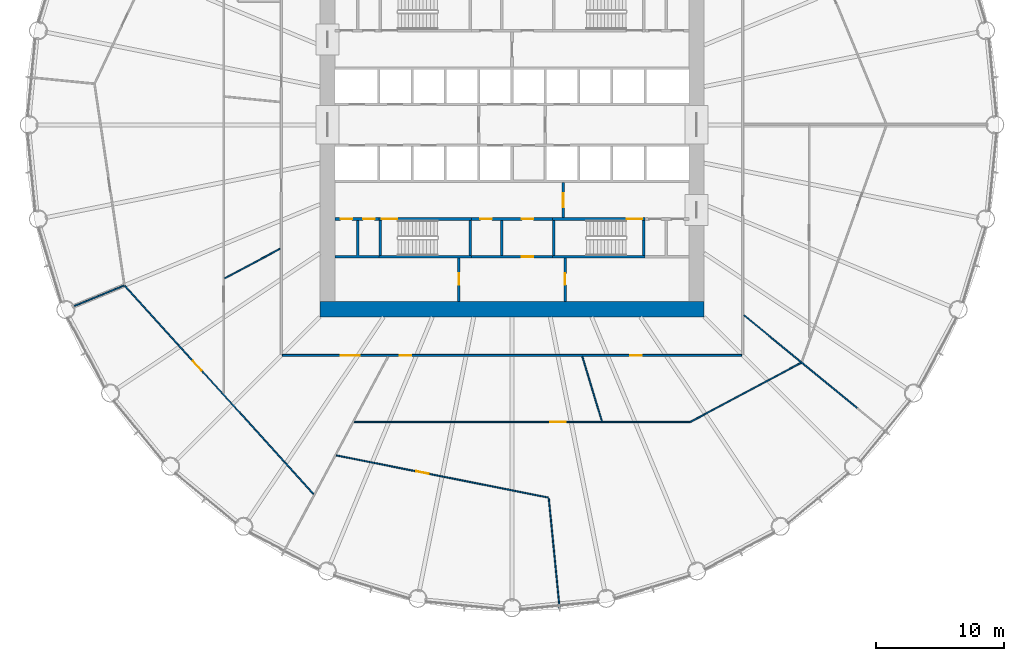
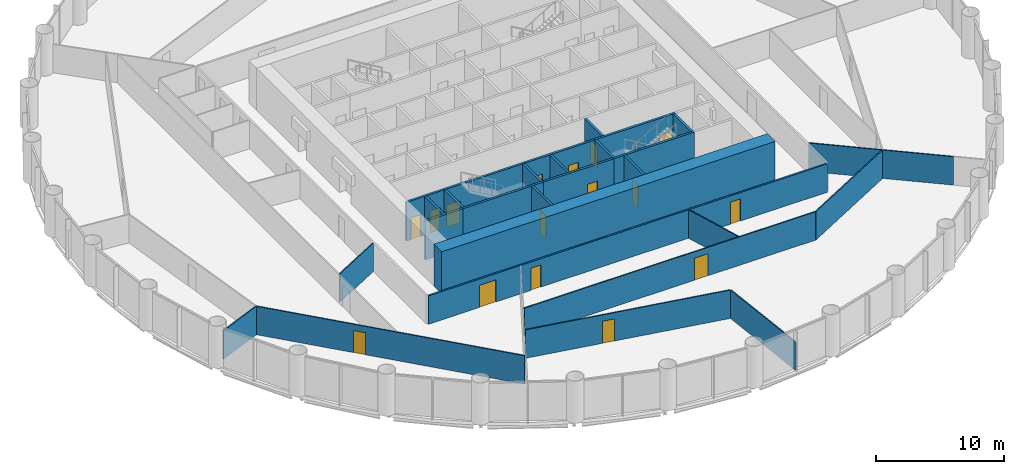
# One storey, part 10 of 15: 27 walls, 16 doors, 16 openings.
"""IFC4 building model written with IfcOpenShell, lengths in metres."""

from ifc_helpers import new_model, si_unit, direction, frame, frame_2d, origin, place, context, subcontext, project, spatial, polyline, rectangle, outline, extrude, material, layer, layer_set, type_object, element, fill, save


model = new_model("IFC4")

# Units and contexts
model_context = context("Model", 3, precision=1e-05, world=origin(), true_north=direction((0.0, 1.0)))
body_context = subcontext(model_context, "Body", "Model", "MODEL_VIEW")
ifc_project = project(units=[si_unit("LENGTHUNIT", "METRE"), si_unit("AREAUNIT", "SQUARE_METRE"), si_unit("VOLUMEUNIT", "CUBIC_METRE"), si_unit("PLANEANGLEUNIT", "RADIAN"), si_unit("MASSUNIT", "GRAM", prefix="KILO")], contexts=[model_context])

# Site, building, storey
site_placement = place(None, origin())
site = spatial("IfcSite", under=ifc_project, at=site_placement, CompositionType="ELEMENT")
building_placement = place(site_placement, origin())
building = spatial("IfcBuilding", under=site, at=building_placement, Name="Corvane Civic Tower", CompositionType="ELEMENT")
storey_placement = place(building_placement, frame((0.0, 0.0, 61.0)))
storey = spatial("IfcBuildingStorey", under=building, at=storey_placement, Name="L13", CompositionType="ELEMENT", Elevation=61.0)

# Wall
ifc_material_1 = material(Name="Concrete C80/95", Category="concrete")
ifc_layer_1 = layer(ifc_material_1, 1.199951171875)
ifc_layer_set_1 = layer_set([ifc_layer_1], Name="Concrete C80/95")
wall_type_1 = type_object("IfcWallType", Name="CORE WALL 1200 C80/95", PredefinedType="SHEAR", material=ifc_layer_set_1)
wall_1_placement = place(storey_placement, frame((-15.0, -14.39990234375, 0.0), z_axis=(0.0, 0.0, 1.0), x_axis=(1.0, 0.0, 0.0)))
element("IfcWall", 1, at=wall_1_placement, inside=storey, type_object=wall_type_1, Name="W-L13-core-S", PredefinedType="SHEAR", context=body_context, shape_type="SweptSolid", body=[
    extrude(rectangle(XDim=30.0, YDim=1.199951171875, at=frame_2d((15.0, 0.0))), origin(), (0.0, 0.0, 1.0), 4.0),
])

# Wall, opening, door
ifc_material_2 = material(Name="Concrete C30/37", Category="concrete")
ifc_layer_2 = layer(ifc_material_2, 0.199951171875)
ifc_layer_set_2 = layer_set([ifc_layer_2], Name="Concrete C30/37")
wall_type_2 = type_object("IfcWallType", Name="CR-WALL-200", PredefinedType="PARTITIONING", material=ifc_layer_set_2)
wall_2_placement = place(storey_placement, frame((-3.14990234375, -10.300048828125, 0.0), z_axis=(0.0, 0.0, 1.0), x_axis=(1.0, 0.0, 0.0)))
wall_2 = element("IfcWall", 2, at=wall_2_placement, inside=storey, type_object=wall_type_2, Name="L13 partition wall", PredefinedType="PARTITIONING", context=body_context, shape_type="SweptSolid", body=[
    extrude(rectangle(XDim=6.2998046875, YDim=0.199951171875, at=frame_2d((3.14990234375, 0.0))), origin(), (0.0, 0.0, 1.0), 3.699951171875),
])
opening_1_placement = place(wall_2_placement, frame((3.925048828125, 0.0, 0.0)))
opening_1 = element("IfcOpeningElement", 3, at=opening_1_placement, cuts=wall_2, Name="Opening L13.C10", PredefinedType="OPENING", context=body_context, shape_type="SweptSolid", body=[
    extrude(rectangle(XDim=0.89990234375, YDim=2.10009765625, at=frame_2d((0.449951171875, 1.050048828125))), frame((0.0, 0.10986328125, 0.0), z_axis=(0.0, -1.0, 0.0), x_axis=(1.0, 0.0, 0.0)), (0.0, 0.0, 1.0), 0.219970703125),
])
ifc_material_3 = material(Name="Steel fire door leaf", Category="steel")
door_type_1 = type_object("IfcDoorType", Name="CR-DOOR-900", OperationType="SINGLE_SWING_LEFT", PredefinedType="DOOR", material=ifc_material_3)
door_1_placement = place(opening_1_placement, origin())
door_1 = element("IfcDoor", 4, at=door_1_placement, inside=storey, type_object=door_type_1, Name="L13 door", OperationType="SINGLE_SWING_LEFT", OverallHeight=2.10009765625, OverallWidth=0.89990234375, PredefinedType="DOOR", context=body_context, shape_type="SweptSolid", body=[
    extrude(rectangle(XDim=0.89990234375, YDim=2.10009765625, at=frame_2d((0.449951171875, 1.050048828125))), frame((0.0, 0.02490234375, 0.0), z_axis=(0.0, -1.0, 0.0), x_axis=(1.0, 0.0, 0.0)), (0.0, 0.0, 1.0), 0.050048828125),
])
fill(opening_1, door_1)

# Wall, openings, doors
wall_3_placement = place(storey_placement, frame((-13.800048828125, -7.35009765625, 0.0), z_axis=(0.0, 0.0, 1.0), x_axis=(1.0, 0.0, 0.0)))
wall_3 = element("IfcWall", 5, at=wall_3_placement, inside=storey, type_object=wall_type_2, Name="L13 core partition wall", PredefinedType="PARTITIONING", context=body_context, shape_type="SweptSolid", body=[
    extrude(rectangle(XDim=3.400146484375, YDim=0.199951171875, at=frame_2d((1.7001953125, 0.0))), origin(), (0.0, 0.0, 1.0), 3.699951171875),
])
opening_2_placement = place(wall_3_placement, frame((0.425048828125, 0.0, 0.0)))
opening_2 = element("IfcOpeningElement", 6, at=opening_2_placement, cuts=wall_3, Name="Opening L13.C14", PredefinedType="OPENING", context=body_context, shape_type="SweptSolid", body=[
    extrude(rectangle(XDim=0.89990234375, YDim=2.10009765625, at=frame_2d((0.449951171875, 1.050048828125))), frame((0.0, 0.10986328125, 0.0), z_axis=(0.0, -1.0, 0.0), x_axis=(1.0, 0.0, 0.0)), (0.0, 0.0, 1.0), 0.219970703125),
])
opening_3_placement = place(wall_3_placement, frame((2.175048828125, 0.0, 0.0)))
opening_3 = element("IfcOpeningElement", 7, at=opening_3_placement, cuts=wall_3, Name="Opening L13.C15", PredefinedType="OPENING", context=body_context, shape_type="SweptSolid", body=[
    extrude(rectangle(XDim=0.89990234375, YDim=2.10009765625, at=frame_2d((0.449951171875, 1.050048828125))), frame((0.0, 0.10986328125, 0.0), z_axis=(0.0, -1.0, 0.0), x_axis=(1.0, 0.0, 0.0)), (0.0, 0.0, 1.0), 0.219970703125),
])
door_2_placement = place(opening_2_placement, origin())
door_2 = element("IfcDoor", 8, at=door_2_placement, inside=storey, type_object=door_type_1, Name="L13 door", OperationType="SINGLE_SWING_LEFT", OverallHeight=2.10009765625, OverallWidth=0.89990234375, PredefinedType="DOOR", context=body_context, shape_type="SweptSolid", body=[
    extrude(rectangle(XDim=0.89990234375, YDim=2.10009765625, at=frame_2d((0.449951171875, 1.050048828125))), frame((0.0, 0.02490234375, 0.0), z_axis=(0.0, -1.0, 0.0), x_axis=(1.0, 0.0, 0.0)), (0.0, 0.0, 1.0), 0.050048828125),
])
fill(opening_2, door_2)
door_3_placement = place(opening_3_placement, origin())
door_3 = element("IfcDoor", 9, at=door_3_placement, inside=storey, type_object=door_type_1, Name="L13 door", OperationType="SINGLE_SWING_LEFT", OverallHeight=2.10009765625, OverallWidth=0.89990234375, PredefinedType="DOOR", context=body_context, shape_type="SweptSolid", body=[
    extrude(rectangle(XDim=0.89990234375, YDim=2.10009765625, at=frame_2d((0.449951171875, 1.050048828125))), frame((0.0, 0.02490234375, 0.0), z_axis=(0.0, -1.0, 0.0), x_axis=(1.0, 0.0, 0.0)), (0.0, 0.0, 1.0), 0.050048828125),
])
fill(opening_3, door_3)

wall_4_placement = place(storey_placement, frame((-3.14990234375, -7.35009765625, 0.0), z_axis=(0.0, 0.0, 1.0), x_axis=(1.0, 0.0, 0.0)))
wall_4 = element("IfcWall", 10, at=wall_4_placement, inside=storey, type_object=wall_type_2, Name="L13 core partition wall", PredefinedType="PARTITIONING", context=body_context, shape_type="SweptSolid", body=[
    extrude(rectangle(XDim=6.2998046875, YDim=0.199951171875, at=frame_2d((3.14990234375, 0.0))), origin(), (0.0, 0.0, 1.0), 3.699951171875),
])
opening_4_placement = place(wall_4_placement, frame((0.675048828125, 0.0, 0.0)))
opening_4 = element("IfcOpeningElement", 11, at=opening_4_placement, cuts=wall_4, Name="Opening L13.C04", PredefinedType="OPENING", context=body_context, shape_type="SweptSolid", body=[
    extrude(rectangle(XDim=0.89990234375, YDim=2.10009765625, at=frame_2d((0.449951171875, 1.050048828125))), frame((0.0, 0.10986328125, 0.0), z_axis=(0.0, -1.0, 0.0), x_axis=(1.0, 0.0, 0.0)), (0.0, 0.0, 1.0), 0.219970703125),
])
opening_5_placement = place(wall_4_placement, frame((3.925048828125, 0.0, 0.0)))
opening_5 = element("IfcOpeningElement", 12, at=opening_5_placement, cuts=wall_4, Name="Opening L13.C05", PredefinedType="OPENING", context=body_context, shape_type="SweptSolid", body=[
    extrude(rectangle(XDim=0.89990234375, YDim=2.10009765625, at=frame_2d((0.449951171875, 1.050048828125))), frame((0.0, 0.10986328125, 0.0), z_axis=(0.0, -1.0, 0.0), x_axis=(1.0, 0.0, 0.0)), (0.0, 0.0, 1.0), 0.219970703125),
])
door_4_placement = place(opening_4_placement, origin())
door_4 = element("IfcDoor", 13, at=door_4_placement, inside=storey, type_object=door_type_1, Name="L13 door", OperationType="SINGLE_SWING_LEFT", OverallHeight=2.10009765625, OverallWidth=0.89990234375, PredefinedType="DOOR", context=body_context, shape_type="SweptSolid", body=[
    extrude(rectangle(XDim=0.89990234375, YDim=2.10009765625, at=frame_2d((0.449951171875, 1.050048828125))), frame((0.0, 0.02490234375, 0.0), z_axis=(0.0, -1.0, 0.0), x_axis=(1.0, 0.0, 0.0)), (0.0, 0.0, 1.0), 0.050048828125),
])
fill(opening_4, door_4)
door_5_placement = place(opening_5_placement, origin())
door_5 = element("IfcDoor", 14, at=door_5_placement, inside=storey, type_object=door_type_1, Name="L13 door", OperationType="SINGLE_SWING_LEFT", OverallHeight=2.10009765625, OverallWidth=0.89990234375, PredefinedType="DOOR", context=body_context, shape_type="SweptSolid", body=[
    extrude(rectangle(XDim=0.89990234375, YDim=2.10009765625, at=frame_2d((0.449951171875, 1.050048828125))), frame((0.0, 0.02490234375, 0.0), z_axis=(0.0, -1.0, 0.0), x_axis=(1.0, 0.0, 0.0)), (0.0, 0.0, 1.0), 0.050048828125),
])
fill(opening_5, door_5)

# Wall, opening, door
wall_5_placement = place(storey_placement, frame((-4.14990234375, -13.800048828125, 0.0), z_axis=(0.0, 0.0, 1.0), x_axis=(0.0, 1.0, 0.0)))
wall_5 = element("IfcWall", 15, at=wall_5_placement, inside=storey, type_object=wall_type_2, Name="L13 partition wall", PredefinedType="PARTITIONING", context=body_context, shape_type="SweptSolid", body=[
    extrude(rectangle(XDim=3.400146484375, YDim=0.199951171875, at=frame_2d((1.7001953125, 0.0))), origin(), (0.0, 0.0, 1.0), 3.699951171875),
])
opening_6_placement = place(wall_5_placement, frame((1.300048828125, 0.0, 0.0)))
opening_6 = element("IfcOpeningElement", 16, at=opening_6_placement, cuts=wall_5, Name="Opening L13.C09", PredefinedType="OPENING", context=body_context, shape_type="SweptSolid", body=[
    extrude(rectangle(XDim=0.89990234375, YDim=2.10009765625, at=frame_2d((0.449951171875, 1.050048828125))), frame((0.0, 0.10986328125, 0.0), z_axis=(0.0, -1.0, 0.0), x_axis=(1.0, 0.0, 0.0)), (0.0, 0.0, 1.0), 0.219970703125),
])
door_6_placement = place(opening_6_placement, origin())
door_6 = element("IfcDoor", 17, at=door_6_placement, inside=storey, type_object=door_type_1, Name="L13 door", OperationType="SINGLE_SWING_LEFT", OverallHeight=2.10009765625, OverallWidth=0.89990234375, PredefinedType="DOOR", context=body_context, shape_type="SweptSolid", body=[
    extrude(rectangle(XDim=0.89990234375, YDim=2.10009765625, at=frame_2d((0.449951171875, 1.050048828125))), frame((0.0, 0.02490234375, 0.0), z_axis=(0.0, -1.0, 0.0), x_axis=(1.0, 0.0, 0.0)), (0.0, 0.0, 1.0), 0.050048828125),
])
fill(opening_6, door_6)

wall_6_placement = place(storey_placement, frame((4.0, -7.25, 0.0), z_axis=(0.0, 0.0, 1.0), x_axis=(0.0, 1.0, 0.0)))
wall_6 = element("IfcWall", 18, at=wall_6_placement, inside=storey, type_object=wall_type_2, Name="L13 core partition wall", PredefinedType="PARTITIONING", context=body_context, shape_type="SweptSolid", body=[
    extrude(rectangle(XDim=2.75, YDim=0.199951171875, at=frame_2d((1.375, 0.0))), origin(), (0.0, 0.0, 1.0), 3.699951171875),
])
opening_7_placement = place(wall_6_placement, frame((0.824951171875, 0.0, 0.0)))
opening_7 = element("IfcOpeningElement", 19, at=opening_7_placement, cuts=wall_6, Name="Opening L13.C27", PredefinedType="OPENING", context=body_context, shape_type="SweptSolid", body=[
    extrude(rectangle(XDim=1.10009765625, YDim=2.10009765625, at=frame_2d((0.550048828125, 1.050048828125))), frame((0.0, 0.10986328125, 0.0), z_axis=(0.0, -1.0, 0.0), x_axis=(1.0, 0.0, 0.0)), (0.0, 0.0, 1.0), 0.219970703125),
])
ifc_material_4 = material(Name="Steel fire door leaf", Category="steel")
door_type_2 = type_object("IfcDoorType", Name="CR-DOOR-FFL-1100", OperationType="SINGLE_SWING_LEFT", PredefinedType="DOOR", material=ifc_material_4)
door_7_placement = place(opening_7_placement, origin())
door_7 = element("IfcDoor", 20, at=door_7_placement, inside=storey, type_object=door_type_2, Name="L13 lobby door", OperationType="SINGLE_SWING_LEFT", OverallHeight=2.10009765625, OverallWidth=1.10009765625, PredefinedType="DOOR", context=body_context, shape_type="SweptSolid", body=[
    extrude(rectangle(XDim=1.10009765625, YDim=2.10009765625, at=frame_2d((0.550048828125, 1.050048828125))), frame((0.0, 0.02490234375, 0.0), z_axis=(0.0, -1.0, 0.0), x_axis=(1.0, 0.0, 0.0)), (0.0, 0.0, 1.0), 0.050048828125),
])
fill(opening_7, door_7)

wall_7_placement = place(storey_placement, frame((4.14990234375, -13.800048828125, 0.0), z_axis=(0.0, 0.0, 1.0), x_axis=(0.0, 1.0, 0.0)))
wall_7 = element("IfcWall", 21, at=wall_7_placement, inside=storey, type_object=wall_type_2, Name="L13 partition wall", PredefinedType="PARTITIONING", context=body_context, shape_type="SweptSolid", body=[
    extrude(rectangle(XDim=3.400146484375, YDim=0.199951171875, at=frame_2d((1.7001953125, 0.0))), origin(), (0.0, 0.0, 1.0), 3.699951171875),
])
opening_8_placement = place(wall_7_placement, frame((1.300048828125, 0.0, 0.0)))
opening_8 = element("IfcOpeningElement", 22, at=opening_8_placement, cuts=wall_7, Name="Opening L13.C11", PredefinedType="OPENING", context=body_context, shape_type="SweptSolid", body=[
    extrude(rectangle(XDim=0.89990234375, YDim=2.10009765625, at=frame_2d((0.449951171875, 1.050048828125))), frame((0.0, 0.10986328125, 0.0), z_axis=(0.0, -1.0, 0.0), x_axis=(1.0, 0.0, 0.0)), (0.0, 0.0, 1.0), 0.219970703125),
])
door_8_placement = place(opening_8_placement, origin())
door_8 = element("IfcDoor", 23, at=door_8_placement, inside=storey, type_object=door_type_1, Name="L13 door", OperationType="SINGLE_SWING_LEFT", OverallHeight=2.10009765625, OverallWidth=0.89990234375, PredefinedType="DOOR", context=body_context, shape_type="SweptSolid", body=[
    extrude(rectangle(XDim=0.89990234375, YDim=2.10009765625, at=frame_2d((0.449951171875, 1.050048828125))), frame((0.0, 0.02490234375, 0.0), z_axis=(0.0, -1.0, 0.0), x_axis=(1.0, 0.0, 0.0)), (0.0, 0.0, 1.0), 0.050048828125),
])
fill(opening_8, door_8)

# Walls
wall_8_placement = place(storey_placement, origin())
element("IfcWall", 24, at=wall_8_placement, inside=storey, type_object=wall_type_2, Name="L13 core partition wall", PredefinedType="PARTITIONING", context=body_context, shape_type="SweptSolid", body=[
    extrude(outline(polyline([(-12.14990234375, -7.449951171875), (-11.949951171875, -7.449951171875), (-11.949951171875, -10.199951171875), (-10.39990234375, -10.199951171875), (-10.39990234375, -10.39990234375), (-13.800048828125, -10.39990234375), (-13.800048828125, -10.199951171875), (-12.14990234375, -10.199951171875), (-12.14990234375, -7.449951171875)])), origin(), (0.0, 0.0, 1.0), 3.699951171875),
])
wall_9_placement = place(storey_placement, origin())
element("IfcWall", 25, at=wall_9_placement, inside=storey, type_object=wall_type_2, Name="L13 core partition wall", PredefinedType="PARTITIONING", context=body_context, shape_type="SweptSolid", body=[
    extrude(outline(polyline([(-0.699951171875, -10.199951171875), (-0.89990234375, -10.199951171875), (-0.89990234375, -7.449951171875), (-0.699951171875, -7.449951171875), (-0.699951171875, -10.199951171875)])), origin(), (0.0, 0.0, 1.0), 3.699951171875),
])
ifc_material_5 = material(Name="Plasterboard")
ifc_layer_3 = layer(ifc_material_5, 0.10009765625)
ifc_layer_set_3 = layer_set([ifc_layer_3], Name="Plasterboard")
wall_type_3 = type_object("IfcWallType", Name="Partition 100 plasterboard on studs", PredefinedType="PARTITIONING", material=ifc_layer_set_3)
wall_10_placement = place(storey_placement, frame((2.86962890625, -29.1357421875, 0.0), z_axis=(0.0, 0.0, 1.0), x_axis=(0.098012580456, -0.99518517577, 0.0)))
element("IfcWall", 26, at=wall_10_placement, inside=storey, type_object=wall_type_3, Name="Partition L13.001", PredefinedType="PARTITIONING", context=body_context, shape_type="SweptSolid", body=[
    extrude(rectangle(XDim=8.67333984375, YDim=0.10009765625, at=frame_2d((4.336669921875, 0.0))), origin(), (0.0, 0.0, 1.0), 2.699951171875),
])

# Wall, opening, door
wall_11_placement = place(storey_placement, frame((-13.71728515625, -25.80029296875, 0.0), z_axis=(0.0, 0.0, 1.0), x_axis=(0.980786622224, -0.195083576107, 0.0)))
wall_11 = element("IfcWall", 27, at=wall_11_placement, inside=storey, type_object=wall_type_3, Name="Partition L13.003", PredefinedType="PARTITIONING", context=body_context, shape_type="SweptSolid", body=[
    extrude(rectangle(XDim=16.87109375, YDim=0.10009765625, at=frame_2d((8.435546875, 0.0))), origin(), (0.0, 0.0, 1.0), 2.699951171875),
])
opening_9_placement = place(wall_11_placement, frame((6.35205078125, 0.0, 0.0)))
opening_9 = element("IfcOpeningElement", 28, at=opening_9_placement, cuts=wall_11, Name="Opening L13.002", PredefinedType="OPENING", context=body_context, shape_type="SweptSolid", body=[
    extrude(rectangle(XDim=1.0, YDim=2.10009765625, at=frame_2d((0.5, 1.050048828125))), frame((0.0, 0.06005859375, 0.0), z_axis=(0.0, -1.0, 0.0), x_axis=(1.0, 0.0, 0.0)), (0.0, 0.0, 1.0), 0.1201171875),
])
ifc_material_6 = material(Name="Timber", Category="wood")
door_type_3 = type_object("IfcDoorType", Name="Single door 1000", OperationType="NOTDEFINED", PredefinedType="DOOR", material=ifc_material_6)
door_9_placement = place(opening_9_placement, frame((1.0, 0.0, 0.0), z_axis=(0.0, 0.0, 1.0), x_axis=(-1.0, 0.0, 0.0)))
door_9 = element("IfcDoor", 29, at=door_9_placement, inside=storey, type_object=door_type_3, Name="Door L13.002", OperationType="SINGLE_SWING_RIGHT", OverallHeight=2.10009765625, OverallWidth=1.0, PredefinedType="DOOR", context=body_context, shape_type="SweptSolid", body=[
    extrude(rectangle(XDim=1.0, YDim=2.10009765625, at=frame_2d((0.5, 1.050048828125))), frame((0.0, 0.02490234375, 0.0), z_axis=(0.0, -1.0, 0.0), x_axis=(1.0, 0.0, 0.0)), (0.0, 0.0, 1.0), 0.050048828125),
])
fill(opening_9, door_9)

wall_12_placement = place(storey_placement, frame((-30.227783203125, -12.556640625, 0.0), z_axis=(0.0, 0.0, 1.0), x_axis=(0.67156235145, -0.740948046839, 0.0)))
wall_12 = element("IfcWall", 30, at=wall_12_placement, inside=storey, type_object=wall_type_3, Name="Partition L13.004", PredefinedType="PARTITIONING", context=body_context, shape_type="SweptSolid", body=[
    extrude(rectangle(XDim=21.9560546875, YDim=0.10009765625, at=frame_2d((10.97802734375, 0.0))), origin(), (0.0, 0.0, 1.0), 2.699951171875),
])
opening_10_placement = place(wall_12_placement, frame((7.940185546875, 0.0, 0.0)))
opening_10 = element("IfcOpeningElement", 31, at=opening_10_placement, cuts=wall_12, Name="Opening L13.008", PredefinedType="OPENING", context=body_context, shape_type="SweptSolid", body=[
    extrude(rectangle(XDim=1.0, YDim=2.10009765625, at=frame_2d((0.5, 1.050048828125))), frame((0.0, 0.06005859375, 0.0), z_axis=(0.0, -1.0, 0.0), x_axis=(1.0, 0.0, 0.0)), (0.0, 0.0, 1.0), 0.1201171875),
])
door_10_placement = place(opening_10_placement, frame((1.0, 0.0, 0.0), z_axis=(0.0, 0.0, 1.0), x_axis=(-1.0, 0.0, 0.0)))
door_10 = element("IfcDoor", 32, at=door_10_placement, inside=storey, type_object=door_type_3, Name="Door L13.008", OperationType="SINGLE_SWING_RIGHT", OverallHeight=2.10009765625, OverallWidth=1.0, PredefinedType="DOOR", context=body_context, shape_type="SweptSolid", body=[
    extrude(rectangle(XDim=1.0, YDim=2.10009765625, at=frame_2d((0.5, 1.050048828125))), frame((0.0, 0.02490234375, 0.0), z_axis=(0.0, -1.0, 0.0), x_axis=(1.0, 0.0, 0.0)), (0.0, 0.0, 1.0), 0.050048828125),
])
fill(opening_10, door_10)

wall_13_placement = place(storey_placement, frame((-12.317138671875, -23.199951171875, 0.0), z_axis=(0.0, 0.0, 1.0), x_axis=(1.0, 0.0, 0.0)))
wall_13 = element("IfcWall", 33, at=wall_13_placement, inside=storey, type_object=wall_type_3, Name="Partition L13.006", PredefinedType="PARTITIONING", context=body_context, shape_type="SweptSolid", body=[
    extrude(rectangle(XDim=26.20654296875, YDim=0.10009765625, at=frame_2d((13.103271484375, 0.0))), origin(), (0.0, 0.0, 1.0), 2.699951171875),
])
opening_11_placement = place(wall_13_placement, frame((15.31494140625, 0.0, 0.0)))
opening_11 = element("IfcOpeningElement", 34, at=opening_11_placement, cuts=wall_13, Name="Opening L13.004", PredefinedType="OPENING", context=body_context, shape_type="SweptSolid", body=[
    extrude(rectangle(XDim=1.199951171875, YDim=2.10009765625, at=frame_2d((0.60009765625, 1.050048828125))), frame((0.0, 0.06005859375, 0.0), z_axis=(0.0, -1.0, 0.0), x_axis=(1.0, 0.0, 0.0)), (0.0, 0.0, 1.0), 0.1201171875),
])
ifc_material_7 = material(Name="Timber", Category="wood")
door_type_4 = type_object("IfcDoorType", Name="Double door 1200", OperationType="NOTDEFINED", PredefinedType="DOOR", material=ifc_material_7)
door_11_placement = place(opening_11_placement, frame((1.199951171875, 0.0, 0.0), z_axis=(0.0, 0.0, 1.0), x_axis=(-1.0, 0.0, 0.0)))
door_11 = element("IfcDoor", 35, at=door_11_placement, inside=storey, type_object=door_type_4, Name="Door L13.004", OperationType="DOUBLE_DOOR_SINGLE_SWING", OverallHeight=2.10009765625, OverallWidth=1.199951171875, PredefinedType="DOOR", context=body_context, shape_type="SweptSolid", body=[
    extrude(rectangle(XDim=1.199951171875, YDim=2.10009765625, at=frame_2d((0.60009765625, 1.050048828125))), frame((0.0, 0.02490234375, 0.0), z_axis=(0.0, -1.0, 0.0), x_axis=(1.0, 0.0, 0.0)), (0.0, 0.0, 1.0), 0.050048828125),
])
fill(opening_11, door_11)

# Walls
wall_14_placement = place(storey_placement, frame((13.9130859375, -23.194091796875, 0.0), z_axis=(0.0, 0.0, 1.0), x_axis=(0.88192128868, 0.471396691305, 0.0)))
element("IfcWall", 36, at=wall_14_placement, inside=storey, type_object=wall_type_3, Name="Partition L13.007", PredefinedType="PARTITIONING", context=body_context, shape_type="SweptSolid", body=[
    extrude(rectangle(XDim=9.778076171875, YDim=0.10009765625, at=frame_2d((4.88916015625, 0.0))), origin(), (0.0, 0.0, 1.0), 2.699951171875),
])
wall_15_placement = place(storey_placement, frame((5.4873046875, -18.089599609375, 0.0), z_axis=(0.0, 0.0, 1.0), x_axis=(0.290302940199, -0.956934795538, 0.0)))
element("IfcWall", 37, at=wall_15_placement, inside=storey, type_object=wall_type_3, Name="Partition L13.008", PredefinedType="PARTITIONING", context=body_context, shape_type="SweptSolid", body=[
    extrude(rectangle(XDim=5.27294921875, YDim=0.10009765625, at=frame_2d((2.636474609375, 0.0))), origin(), (0.0, 0.0, 1.0), 2.699951171875),
])
wall_16_placement = place(storey_placement, frame((18.106689453125, -14.85986328125, 0.0), z_axis=(0.0, 0.0, 1.0), x_axis=(0.773018264294, -0.634383766397, 0.0)))
element("IfcWall", 38, at=wall_16_placement, inside=storey, type_object=wall_type_3, Name="Partition L13.009", PredefinedType="PARTITIONING", context=body_context, shape_type="SweptSolid", body=[
    extrude(rectangle(XDim=11.42041015625, YDim=0.10009765625, at=frame_2d((5.710205078125, 0.0))), origin(), (0.0, 0.0, 1.0), 2.699951171875),
])
wall_17_placement = place(storey_placement, frame((-34.17431640625, -14.155517578125, 0.0), z_axis=(0.0, 0.0, 1.0), x_axis=(0.923864757577, 0.382719100265, 0.0)))
element("IfcWall", 39, at=wall_17_placement, inside=storey, type_object=wall_type_3, Name="Partition L13.016", PredefinedType="PARTITIONING", context=body_context, shape_type="SweptSolid", body=[
    extrude(rectangle(XDim=4.20703125, YDim=0.10009765625, at=frame_2d((2.103515625, 0.0))), origin(), (0.0, 0.0, 1.0), 2.699951171875),
])
wall_18_placement = place(storey_placement, frame((-22.426513671875, -11.9873046875, 0.0), z_axis=(0.0, 0.0, 1.0), x_axis=(0.881906349881, 0.47142463877, 0.0)))
element("IfcWall", 40, at=wall_18_placement, inside=storey, type_object=wall_type_3, Name="Partition L13.018", PredefinedType="PARTITIONING", context=body_context, shape_type="SweptSolid", body=[
    extrude(rectangle(XDim=4.907470703125, YDim=0.10009765625, at=frame_2d((2.45361328125, 0.0))), origin(), (0.0, 0.0, 1.0), 2.699951171875),
])

# Wall, opening, door
ifc_material_8 = material(Name="Concrete C50/60", Category="concrete")
ifc_layer_4 = layer(ifc_material_8, 0.199951171875)
ifc_layer_set_4 = layer_set([ifc_layer_4], Name="Concrete C50/60")
wall_type_4 = type_object("IfcWallType", Name="ST-WALL-200", PredefinedType="SHEAR", material=ifc_layer_set_4)
wall_19_placement = place(storey_placement, frame((-10.39990234375, -7.35009765625, 0.0), z_axis=(0.0, 0.0, 1.0), x_axis=(1.0, 0.0, 0.0)))
wall_19 = element("IfcWall", 41, at=wall_19_placement, inside=storey, type_object=wall_type_4, Name="L13 stair enclosure wall", PredefinedType="SHEAR", context=body_context, shape_type="SweptSolid", body=[
    extrude(rectangle(XDim=7.25, YDim=0.199951171875, at=frame_2d((3.625, 0.0))), origin(), (0.0, 0.0, 1.0), 3.699951171875),
])
opening_12_placement = place(wall_19_placement, frame((0.25, 0.0, 0.0)))
opening_12 = element("IfcOpeningElement", 42, at=opening_12_placement, cuts=wall_19, Name="Opening L13.C23", PredefinedType="OPENING", context=body_context, shape_type="SweptSolid", body=[
    extrude(rectangle(XDim=1.199951171875, YDim=2.10009765625, at=frame_2d((0.60009765625, 1.050048828125))), frame((0.0, 0.10986328125, 0.0), z_axis=(0.0, -1.0, 0.0), x_axis=(1.0, 0.0, 0.0)), (0.0, 0.0, 1.0), 0.219970703125),
])
ifc_material_9 = material(Name="Steel fire door leaf", Category="steel")
door_type_5 = type_object("IfcDoorType", Name="ST-DOOR-1200", OperationType="SINGLE_SWING_RIGHT", PredefinedType="DOOR", material=ifc_material_9)
door_12_placement = place(opening_12_placement, origin())
door_12 = element("IfcDoor", 43, at=door_12_placement, inside=storey, type_object=door_type_5, Name="L13 stair door", OperationType="SINGLE_SWING_RIGHT", OverallHeight=2.10009765625, OverallWidth=1.199951171875, PredefinedType="DOOR", context=body_context, shape_type="SweptSolid", body=[
    extrude(rectangle(XDim=1.199951171875, YDim=2.10009765625, at=frame_2d((0.60009765625, 1.050048828125))), frame((0.0, 0.02490234375, 0.0), z_axis=(0.0, -1.0, 0.0), x_axis=(1.0, 0.0, 0.0)), (0.0, 0.0, 1.0), 0.050048828125),
])
fill(opening_12, door_12)

wall_20_placement = place(storey_placement, frame((3.14990234375, -7.35009765625, 0.0), z_axis=(0.0, 0.0, 1.0), x_axis=(1.0, 0.0, 0.0)))
wall_20 = element("IfcWall", 44, at=wall_20_placement, inside=storey, type_object=wall_type_4, Name="L13 stair enclosure wall", PredefinedType="SHEAR", context=body_context, shape_type="SweptSolid", body=[
    extrude(rectangle(XDim=7.25, YDim=0.199951171875, at=frame_2d((3.625, 0.0))), origin(), (0.0, 0.0, 1.0), 3.699951171875),
])
opening_13_placement = place(wall_20_placement, frame((5.800048828125, 0.0, 0.0)))
opening_13 = element("IfcOpeningElement", 45, at=opening_13_placement, cuts=wall_20, Name="Opening L13.C22", PredefinedType="OPENING", context=body_context, shape_type="SweptSolid", body=[
    extrude(rectangle(XDim=1.199951171875, YDim=2.10009765625, at=frame_2d((0.60009765625, 1.050048828125))), frame((0.0, 0.10986328125, 0.0), z_axis=(0.0, -1.0, 0.0), x_axis=(1.0, 0.0, 0.0)), (0.0, 0.0, 1.0), 0.219970703125),
])
door_13_placement = place(opening_13_placement, origin())
door_13 = element("IfcDoor", 46, at=door_13_placement, inside=storey, type_object=door_type_5, Name="L13 stair door", OperationType="SINGLE_SWING_RIGHT", OverallHeight=2.10009765625, OverallWidth=1.199951171875, PredefinedType="DOOR", context=body_context, shape_type="SweptSolid", body=[
    extrude(rectangle(XDim=1.199951171875, YDim=2.10009765625, at=frame_2d((0.60009765625, 1.050048828125))), frame((0.0, 0.02490234375, 0.0), z_axis=(0.0, -1.0, 0.0), x_axis=(1.0, 0.0, 0.0)), (0.0, 0.0, 1.0), 0.050048828125),
])
fill(opening_13, door_13)

# Walls
wall_21_placement = place(storey_placement, origin())
element("IfcWall", 47, at=wall_21_placement, inside=storey, type_object=wall_type_4, Name="L13 stair enclosure wall", PredefinedType="SHEAR", context=body_context, shape_type="SweptSolid", body=[
    extrude(outline(polyline([(-3.14990234375, -10.199951171875), (-3.14990234375, -10.39990234375), (-10.39990234375, -10.39990234375), (-10.39990234375, -10.199951171875), (-3.14990234375, -10.199951171875)])), origin(), (0.0, 0.0, 1.0), 3.699951171875),
])
wall_22_placement = place(storey_placement, origin())
element("IfcWall", 48, at=wall_22_placement, inside=storey, type_object=wall_type_4, Name="L13 stair enclosure wall", PredefinedType="SHEAR", context=body_context, shape_type="SweptSolid", body=[
    extrude(outline(polyline([(10.39990234375, -10.39990234375), (3.14990234375, -10.39990234375), (3.14990234375, -10.199951171875), (10.39990234375, -10.199951171875), (10.39990234375, -10.39990234375)])), origin(), (0.0, 0.0, 1.0), 3.699951171875),
])
wall_23_placement = place(storey_placement, origin())
element("IfcWall", 49, at=wall_23_placement, inside=storey, type_object=wall_type_4, Name="L13 stair enclosure wall", PredefinedType="SHEAR", context=body_context, shape_type="SweptSolid", body=[
    extrude(outline(polyline([(-3.14990234375, -7.449951171875), (-3.14990234375, -10.199951171875), (-3.35009765625, -10.199951171875), (-3.35009765625, -7.449951171875), (-3.14990234375, -7.449951171875)])), origin(), (0.0, 0.0, 1.0), 3.699951171875),
])
wall_24_placement = place(storey_placement, origin())
element("IfcWall", 50, at=wall_24_placement, inside=storey, type_object=wall_type_4, Name="L13 stair enclosure wall", PredefinedType="SHEAR", context=body_context, shape_type="SweptSolid", body=[
    extrude(outline(polyline([(3.35009765625, -7.449951171875), (3.35009765625, -10.199951171875), (3.14990234375, -10.199951171875), (3.14990234375, -7.449951171875), (3.35009765625, -7.449951171875)])), origin(), (0.0, 0.0, 1.0), 3.699951171875),
])
wall_25_placement = place(storey_placement, origin())
element("IfcWall", 51, at=wall_25_placement, inside=storey, type_object=wall_type_4, Name="L13 stair enclosure wall", PredefinedType="SHEAR", context=body_context, shape_type="SweptSolid", body=[
    extrude(outline(polyline([(-10.199951171875, -7.449951171875), (-10.199951171875, -10.199951171875), (-10.39990234375, -10.199951171875), (-10.39990234375, -7.449951171875), (-10.199951171875, -7.449951171875)])), origin(), (0.0, 0.0, 1.0), 3.699951171875),
])
wall_26_placement = place(storey_placement, origin())
element("IfcWall", 52, at=wall_26_placement, inside=storey, type_object=wall_type_4, Name="L13 stair enclosure wall", PredefinedType="SHEAR", context=body_context, shape_type="SweptSolid", body=[
    extrude(outline(polyline([(10.39990234375, -7.449951171875), (10.39990234375, -10.199951171875), (10.199951171875, -10.199951171875), (10.199951171875, -7.449951171875), (10.39990234375, -7.449951171875)])), origin(), (0.0, 0.0, 1.0), 3.699951171875),
])

# Wall, openings, doors
ifc_material_10 = material(Name="Plasterboard")
ifc_layer_5 = layer(ifc_material_10, 0.14990234375)
ifc_layer_set_5 = layer_set([ifc_layer_5], Name="Plasterboard")
wall_type_5 = type_object("IfcWallType", Name="Tenancy wall 150 EI 60", PredefinedType="PARTITIONING", material=ifc_layer_set_5)
wall_27_placement = place(storey_placement, frame((-17.925048828125, -18.0, 0.0), z_axis=(0.0, 0.0, 1.0), x_axis=(1.0, 0.0, 0.0)))
wall_27 = element("IfcWall", 53, at=wall_27_placement, inside=storey, type_object=wall_type_5, Name="Partition L13.012", PredefinedType="PARTITIONING", context=body_context, shape_type="SweptSolid", body=[
    extrude(rectangle(XDim=35.85009765625, YDim=0.14990234375, at=frame_2d((17.925048828125, 0.0))), origin(), (0.0, 0.0, 1.0), 2.699951171875),
])
opening_14_placement = place(wall_27_placement, frame((27.14501953125, 0.0, 0.0)))
opening_14 = element("IfcOpeningElement", 54, at=opening_14_placement, cuts=wall_27, Name="Opening L13.006", PredefinedType="OPENING", context=body_context, shape_type="SweptSolid", body=[
    extrude(rectangle(XDim=0.89990234375, YDim=2.10009765625, at=frame_2d((0.449951171875, 1.050048828125))), frame((0.0, 0.0849609375, 0.0), z_axis=(0.0, -1.0, 0.0), x_axis=(1.0, 0.0, 0.0)), (0.0, 0.0, 1.0), 0.169921875),
])
opening_15_placement = place(wall_27_placement, frame((9.177490234375, 0.0, 0.0)))
opening_15 = element("IfcOpeningElement", 55, at=opening_15_placement, cuts=wall_27, Name="Opening L13.007", PredefinedType="OPENING", context=body_context, shape_type="SweptSolid", body=[
    extrude(rectangle(XDim=0.89990234375, YDim=2.10009765625, at=frame_2d((0.449951171875, 1.050048828125))), frame((0.0, 0.0849609375, 0.0), z_axis=(0.0, -1.0, 0.0), x_axis=(1.0, 0.0, 0.0)), (0.0, 0.0, 1.0), 0.169921875),
])
opening_16_placement = place(wall_27_placement, frame((4.5517578125, 0.0, 0.0)))
opening_16 = element("IfcOpeningElement", 56, at=opening_16_placement, cuts=wall_27, Name="Opening L13.012", PredefinedType="OPENING", context=body_context, shape_type="SweptSolid", body=[
    extrude(rectangle(XDim=1.5, YDim=2.10009765625, at=frame_2d((0.75, 1.050048828125))), frame((0.0, 0.0849609375, 0.0), z_axis=(0.0, -1.0, 0.0), x_axis=(1.0, 0.0, 0.0)), (0.0, 0.0, 1.0), 0.169921875),
])
ifc_material_11 = material(Name="Steel and timber", Category="steel")
door_type_6 = type_object("IfcDoorType", Name="Fire door FD30S 900", OperationType="NOTDEFINED", PredefinedType="DOOR", material=ifc_material_11)
door_14_placement = place(opening_14_placement, frame((0.89990234375, 0.0, 0.0), z_axis=(0.0, 0.0, 1.0), x_axis=(-1.0, 0.0, 0.0)))
door_14 = element("IfcDoor", 57, at=door_14_placement, inside=storey, type_object=door_type_6, Name="Door L13.006", OperationType="SINGLE_SWING_LEFT", OverallHeight=2.10009765625, OverallWidth=0.89990234375, PredefinedType="DOOR", context=body_context, shape_type="SweptSolid", body=[
    extrude(rectangle(XDim=0.89990234375, YDim=2.10009765625, at=frame_2d((0.449951171875, 1.050048828125))), frame((0.0, 0.02490234375, 0.0), z_axis=(0.0, -1.0, 0.0), x_axis=(1.0, 0.0, 0.0)), (0.0, 0.0, 1.0), 0.050048828125),
])
fill(opening_14, door_14)
door_15_placement = place(opening_15_placement, frame((0.89990234375, 0.0, 0.0), z_axis=(0.0, 0.0, 1.0), x_axis=(-1.0, 0.0, 0.0)))
door_15 = element("IfcDoor", 58, at=door_15_placement, inside=storey, type_object=door_type_6, Name="Door L13.007", OperationType="SINGLE_SWING_LEFT", OverallHeight=2.10009765625, OverallWidth=0.89990234375, PredefinedType="DOOR", context=body_context, shape_type="SweptSolid", body=[
    extrude(rectangle(XDim=0.89990234375, YDim=2.10009765625, at=frame_2d((0.449951171875, 1.050048828125))), frame((0.0, 0.02490234375, 0.0), z_axis=(0.0, -1.0, 0.0), x_axis=(1.0, 0.0, 0.0)), (0.0, 0.0, 1.0), 0.050048828125),
])
fill(opening_15, door_15)
ifc_material_12 = material(Name="Steel and timber", Category="steel")
door_type_7 = type_object("IfcDoorType", Name="Fire door FD60 double 1500", OperationType="NOTDEFINED", PredefinedType="DOOR", material=ifc_material_12)
door_16_placement = place(opening_16_placement, frame((1.5, 0.0, 0.0), z_axis=(0.0, 0.0, 1.0), x_axis=(-1.0, 0.0, 0.0)))
door_16 = element("IfcDoor", 59, at=door_16_placement, inside=storey, type_object=door_type_7, Name="Door L13.012", OperationType="DOUBLE_DOOR_SINGLE_SWING", OverallHeight=2.10009765625, OverallWidth=1.5, PredefinedType="DOOR", context=body_context, shape_type="SweptSolid", body=[
    extrude(rectangle(XDim=1.5, YDim=2.10009765625, at=frame_2d((0.75, 1.050048828125))), frame((0.0, 0.02490234375, 0.0), z_axis=(0.0, -1.0, 0.0), x_axis=(1.0, 0.0, 0.0)), (0.0, 0.0, 1.0), 0.050048828125),
])
fill(opening_16, door_16)

save(model, "model.ifc")
